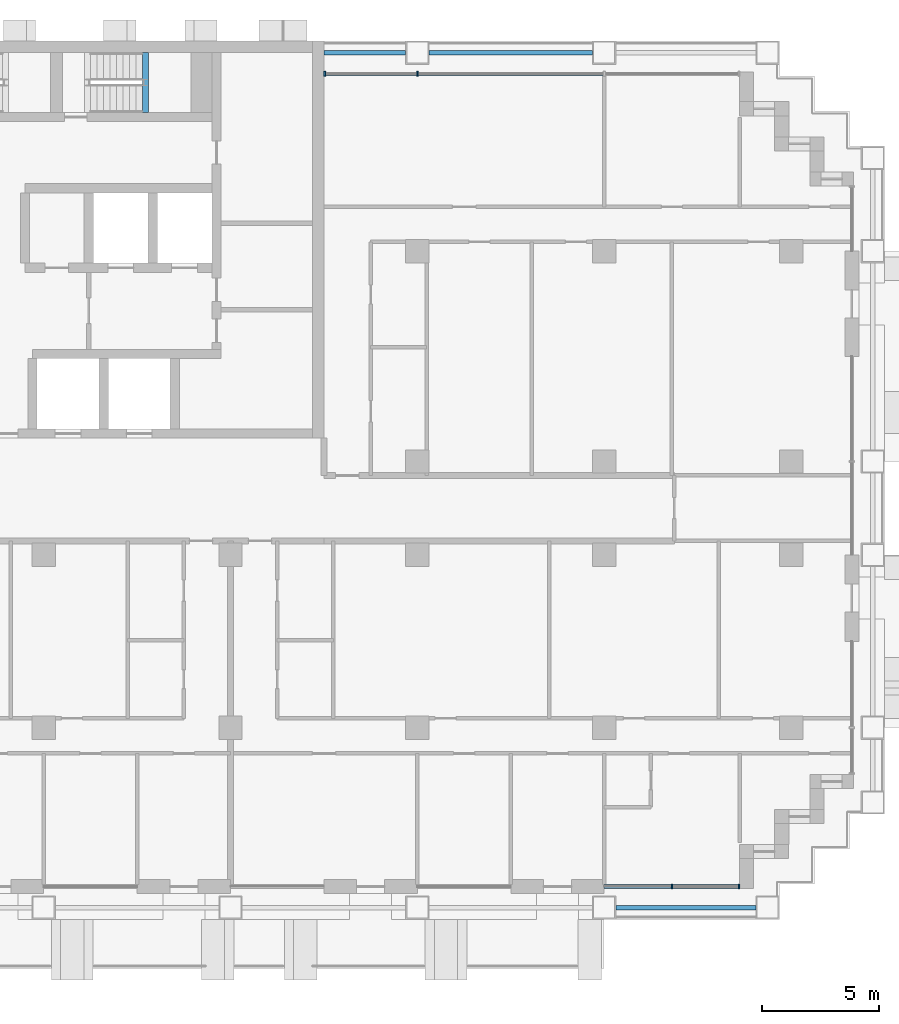
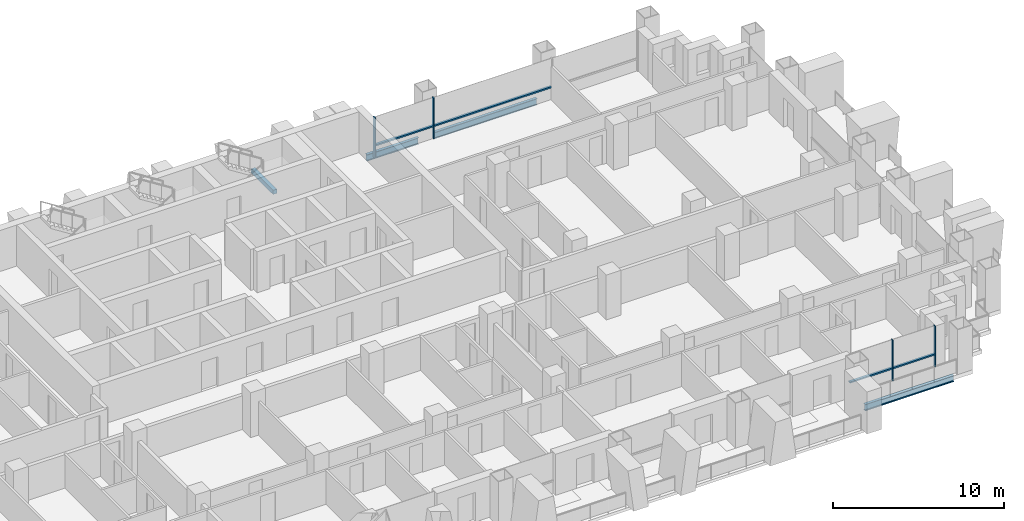
# One storey, part 5 of 18: 8 members, 4 beams, 2 elements without a shape of their own.
"""IFC4 building model written with IfcOpenShell, lengths in metres."""

from ifc_helpers import new_model, si_unit, direction, frame, origin, origin_2d, place, context, subcontext, project, spatial, rectangle, i_section, extrude, material, material_profile, profile_set, type_object, element, aggregate, save


model = new_model("IFC4")

# Units and contexts
model_context = context("Model", 3, precision=1e-05, world=origin(), true_north=direction((0.0, 1.0)))
body_context = subcontext(model_context, "Body", "Model", "MODEL_VIEW")
ifc_project = project(units=[si_unit("LENGTHUNIT", "METRE"), si_unit("AREAUNIT", "SQUARE_METRE"), si_unit("VOLUMEUNIT", "CUBIC_METRE"), si_unit("PLANEANGLEUNIT", "RADIAN"), si_unit("MASSUNIT", "GRAM", prefix="KILO")], contexts=[model_context])

# Site, building, storey
site_placement = place(None, origin())
site = spatial("IfcSite", under=ifc_project, at=site_placement, CompositionType="ELEMENT")
building_placement = place(site_placement, origin())
building = spatial("IfcBuilding", under=site, at=building_placement, Name="Vidyagriha Tower", CompositionType="ELEMENT")
storey_placement = place(building_placement, frame((0.0, 0.0, 54.39990234375)))
storey = spatial("IfcBuildingStorey", under=building, at=storey_placement, Name="L14", CompositionType="ELEMENT", Elevation=54.39990234375)

# Beams
ifc_material_1 = material(Name="Steel ASTM A992 Grade 50", Category="steel")
ifc_material_profile_1 = material_profile(ifc_material_1, i_section(OverallWidth=0.19189453125, OverallDepth=0.46240234375, WebThickness=0.010498046875, FlangeThickness=0.017578125, at=origin_2d()), Name="W18X60")
ifc_profile_set_1 = profile_set([ifc_material_profile_1], Name="Steel ASTM A992 Grade 50")
beam_type_1 = type_object("IfcBeamType", Name="Edge beam W18X60", PredefinedType="SPANDREL", material=ifc_profile_set_1)
beam_1_placement = place(storey_placement, frame((26.5, -17.10009765625, -0.510986328125), z_axis=(1.0, 0.0, 0.0), x_axis=(0.0, 1.0, 0.0)))
element("IfcBeam", 1, at=beam_1_placement, inside=storey, type_object=beam_type_1, Name="st-beam-L14-S09", PredefinedType="SPANDREL", context=body_context, shape_type="SweptSolid", body=[
    extrude(i_section(OverallWidth=0.19189453125, OverallDepth=0.46240234375, WebThickness=0.010498046875, FlangeThickness=0.017578125, at=origin_2d()), origin(), (0.0, 0.0, 1.0), 6.0),
])
beam_2_placement = place(storey_placement, frame((18.5, 19.5, -0.510986328125), z_axis=(1.0, 0.0, 0.0), x_axis=(0.0, 1.0, 0.0)))
element("IfcBeam", 2, at=beam_2_placement, inside=storey, type_object=beam_type_1, Name="st-beam-L14-NE22", PredefinedType="SPANDREL", context=body_context, shape_type="SweptSolid", body=[
    extrude(i_section(OverallWidth=0.19189453125, OverallDepth=0.46240234375, WebThickness=0.010498046875, FlangeThickness=0.017578125, at=origin_2d()), origin(), (0.0, 0.0, 1.0), 7.0),
])
beam_3_placement = place(storey_placement, frame((14.0, 19.5, -0.510986328125), z_axis=(1.0, 0.0, 0.0), x_axis=(0.0, 1.0, 0.0)))
element("IfcBeam", 3, at=beam_3_placement, inside=storey, type_object=beam_type_1, Name="st-beam-L14-NC25", PredefinedType="SPANDREL", context=body_context, shape_type="SweptSolid", body=[
    extrude(i_section(OverallWidth=0.19189453125, OverallDepth=0.46240234375, WebThickness=0.010498046875, FlangeThickness=0.017578125, at=origin_2d()), origin(), (0.0, 0.0, 1.0), 3.5),
])

# Curtain wall, members
ifc_material_2 = material(Name="Aluminium and glass curtain wall", Category="aluminium")
curtain_wall_type = type_object("IfcCurtainWallType", Name="Dwelling skin unitised curtain wall", PredefinedType="USERDEFINED", material=ifc_material_2)
curtain_wall_1_placement = place(storey_placement, origin())
curtain_wall_1 = element("IfcCurtainWall", 4, at=curtain_wall_1_placement, inside=storey, type_object=curtain_wall_type, Name="CW1 dwelling skin", ObjectType="UNITISED", PredefinedType="USERDEFINED")
ifc_material_3 = material(Name="Aluminium black anodised", Category="aluminium")
ifc_material_profile_2 = material_profile(ifc_material_3, rectangle(XDim=0.199951171875, YDim=0.070068359375, at=origin_2d()), Name="Mullion 70x200 black aluminium")
ifc_profile_set_2 = profile_set([ifc_material_profile_2], Name="Aluminium black anodised")
member_type_1 = type_object("IfcMemberType", Name="Mullion 70x200 black aluminium", PredefinedType="MULLION", material=ifc_profile_set_2)
member_1_placement = place(storey_placement, frame((18.0, 18.60009765625, 0.0), z_axis=(0.0, 0.0, 1.0), x_axis=(0.0, -1.0, 0.0)))
member_1 = element("IfcMember", 5, at=member_1_placement, type_object=member_type_1, Name="CW1 mullion 3", PredefinedType="MULLION", context=body_context, shape_type="SweptSolid", body=[
    extrude(rectangle(XDim=0.199951171875, YDim=0.070068359375, at=origin_2d()), origin(), (0.0, 0.0, 1.0), 2.920166015625),
])
member_2_placement = place(storey_placement, frame((14.034912109375, 18.60009765625, 0.0), z_axis=(0.0, 0.0, 1.0), x_axis=(0.0, -1.0, 0.0)))
member_2 = element("IfcMember", 6, at=member_2_placement, type_object=member_type_1, Name="CW1 mullion 4", PredefinedType="MULLION", context=body_context, shape_type="SweptSolid", body=[
    extrude(rectangle(XDim=0.199951171875, YDim=0.070068359375, at=origin_2d()), origin(), (0.0, 0.0, 1.0), 2.920166015625),
])

curtain_wall_2_placement = place(storey_placement, origin())
curtain_wall_2 = element("IfcCurtainWall", 7, at=curtain_wall_2_placement, inside=storey, type_object=curtain_wall_type, Name="CW1 dwelling skin", ObjectType="UNITISED", PredefinedType="USERDEFINED")
member_3_placement = place(storey_placement, frame((28.89990234375, -16.199951171875, 0.0), z_axis=(0.0, 0.0, 1.0), x_axis=(0.0, 1.0, 0.0)))
member_3 = element("IfcMember", 8, at=member_3_placement, type_object=member_type_1, Name="CW1 mullion 2", PredefinedType="MULLION", context=body_context, shape_type="SweptSolid", body=[
    extrude(rectangle(XDim=0.199951171875, YDim=0.070068359375, at=origin_2d()), origin(), (0.0, 0.0, 1.0), 2.920166015625),
])
member_4_placement = place(storey_placement, frame((31.764892578125, -16.199951171875, 0.0), z_axis=(0.0, 0.0, 1.0), x_axis=(0.0, 1.0, 0.0)))
member_4 = element("IfcMember", 9, at=member_4_placement, type_object=member_type_1, Name="CW1 mullion 3", PredefinedType="MULLION", context=body_context, shape_type="SweptSolid", body=[
    extrude(rectangle(XDim=0.199951171875, YDim=0.070068359375, at=origin_2d()), origin(), (0.0, 0.0, 1.0), 2.920166015625),
])

# Beam
ifc_material_4 = material(Name="Concrete C40/50", Category="concrete")
ifc_material_profile_3 = material_profile(ifc_material_4, rectangle(XDim=0.25, YDim=0.300048828125, at=origin_2d()), Name="Stair landing bearing beam 250x300")
ifc_profile_set_3 = profile_set([ifc_material_profile_3], Name="Concrete C40/50")
beam_type_2 = type_object("IfcBeamType", Name="Stair landing bearing beam 250x300", PredefinedType="BEAM", material=ifc_profile_set_3)
beam_4_placement = place(storey_placement, frame((6.364990234375, 16.949951171875, 1.25), z_axis=(0.0, 1.0, 0.0), x_axis=(-1.0, 0.0, 0.0)))
element("IfcBeam", 10, at=beam_4_placement, inside=storey, type_object=beam_type_2, Name="ST3 landing bearing beam L14", PredefinedType="BEAM", context=body_context, shape_type="SweptSolid", body=[
    extrude(rectangle(XDim=0.25, YDim=0.300048828125, at=origin_2d()), origin(), (0.0, 0.0, 1.0), 2.550048828125),
])

# Member
ifc_material_5 = material(Name="Aluminium black anodised", Category="aluminium")
ifc_material_profile_4 = material_profile(ifc_material_5, rectangle(XDim=0.159912109375, YDim=0.10009765625, at=origin_2d()), Name="Transom 100x160 black aluminium")
ifc_profile_set_4 = profile_set([ifc_material_profile_4], Name="Aluminium black anodised")
member_type_2 = type_object("IfcMemberType", Name="Transom 100x160 black aluminium", PredefinedType="USERDEFINED", material=ifc_profile_set_4)
member_5_placement = place(storey_placement, frame((25.965087890625, 18.60009765625, 0.900146484375), z_axis=(-1.0, 0.0, 0.0), x_axis=(0.0, -1.0, 0.0)))
member_5 = element("IfcMember", 11, at=member_5_placement, type_object=member_type_2, Name="CW1 transom 2.1", ObjectType="TRANSOM", PredefinedType="USERDEFINED", context=body_context, shape_type="SweptSolid", body=[
    extrude(rectangle(XDim=0.159912109375, YDim=0.10009765625, at=origin_2d()), origin(), (0.0, 0.0, 1.0), 7.93017578125),
])

member_6_placement = place(storey_placement, frame((17.965087890625, 18.60009765625, 0.900146484375), z_axis=(-1.0, 0.0, 0.0), x_axis=(0.0, -1.0, 0.0)))
member_6 = element("IfcMember", 12, at=member_6_placement, type_object=member_type_2, Name="CW1 transom 3.1", ObjectType="TRANSOM", PredefinedType="USERDEFINED", context=body_context, shape_type="SweptSolid", body=[
    extrude(rectangle(XDim=0.159912109375, YDim=0.10009765625, at=origin_2d()), origin(), (0.0, 0.0, 1.0), 3.89501953125),
])

aggregate(curtain_wall_1, [member_1, member_2, member_5, member_6])

member_7_placement = place(storey_placement, frame((26.0, -16.199951171875, 0.900146484375), z_axis=(1.0, 0.0, 0.0), x_axis=(0.0, 1.0, 0.0)))
member_7 = element("IfcMember", 13, at=member_7_placement, type_object=member_type_2, Name="CW1 transom 1.1", ObjectType="TRANSOM", PredefinedType="USERDEFINED", context=body_context, shape_type="SweptSolid", body=[
    extrude(rectangle(XDim=0.159912109375, YDim=0.10009765625, at=origin_2d()), origin(), (0.0, 0.0, 1.0), 2.864990234375),
])

member_8_placement = place(storey_placement, frame((28.93505859375, -16.199951171875, 0.900146484375), z_axis=(1.0, 0.0, 0.0), x_axis=(0.0, 1.0, 0.0)))
member_8 = element("IfcMember", 14, at=member_8_placement, type_object=member_type_2, Name="CW1 transom 2.1", ObjectType="TRANSOM", PredefinedType="USERDEFINED", context=body_context, shape_type="SweptSolid", body=[
    extrude(rectangle(XDim=0.159912109375, YDim=0.10009765625, at=origin_2d()), origin(), (0.0, 0.0, 1.0), 2.794921875),
])

aggregate(curtain_wall_2, [member_3, member_4, member_7, member_8])

save(model, "model.ifc")
